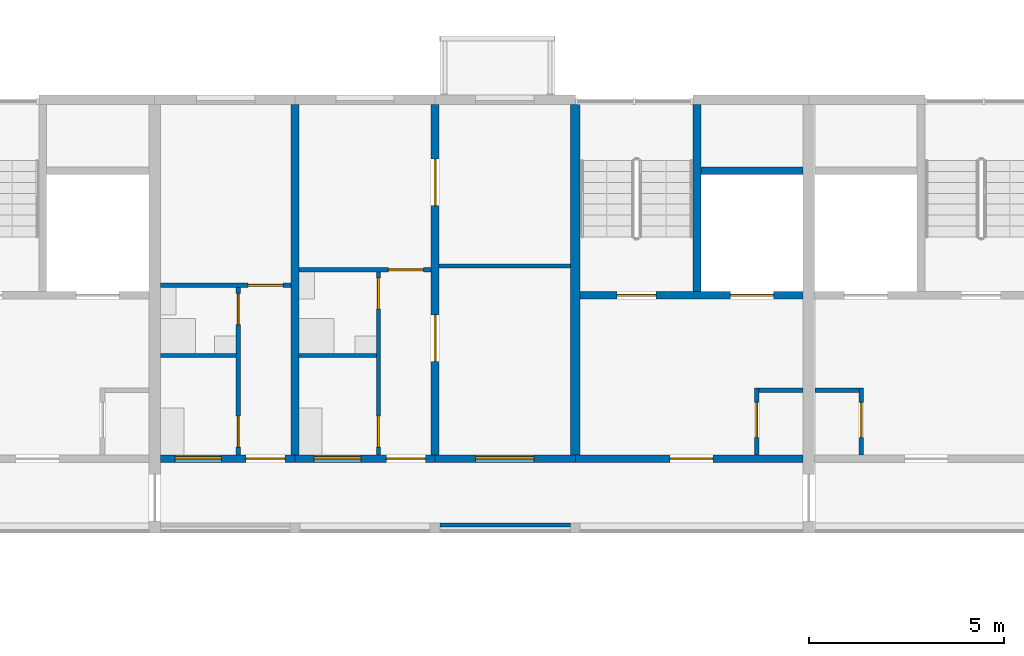
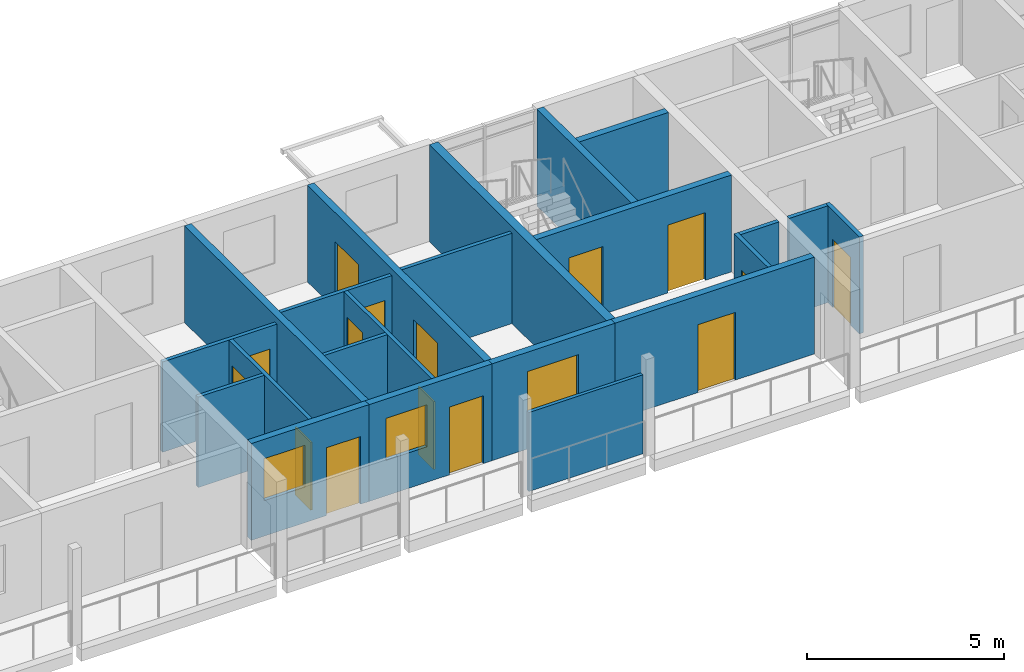
# One storey, part 49 of 99: 22 walls, 15 doors, 3 windows, 18 openings.
"""IFC4 building model written with IfcOpenShell, lengths in metres."""

import ifcopenshell
import ifcopenshell.guid

model = None  # the IFC model being written
_history = None  # IfcOwnerHistory: only IFC2X3 demands one
_inside = {}  # id of a spatial element -> (the spatial element, [elements in it])
_under = {}  # id of a project, library or spatial element -> (it, [spatial elements below it])
_declared = {}  # id of a project -> (the project, [libraries it declares])
_typed = {}  # id of a type object -> (the type object, [elements of that type])
_made_of = {}  # id of a material, layer set ... -> (it, [elements and type objects made of it])


def new_model(schema):
    """Start an empty IFC model of exactly this schema.

    Asked for "IFC4X3", IfcOpenShell would pick the latest addendum, in which some entities
    have other attributes; the version numbers below select the first issue.
    IFC2X3 requires an IfcOwnerHistory on every rooted entity: one is made here for all.
    """
    global model, _history
    if schema == "IFC4X3":
        model = ifcopenshell.file(schema_version=(4, 3, 0, 0))
    else:
        model = ifcopenshell.file(schema=schema)
    _inside.clear()
    _under.clear()
    _declared.clear()
    _typed.clear()
    _made_of.clear()
    _history = None
    if model.schema == "IFC2X3":
        org = make("IfcOrganization", Name="unknown")
        user = make(
            "IfcPersonAndOrganization",
            ThePerson=make("IfcPerson", FamilyName="unknown"),
            TheOrganization=org,
        )
        app = make(
            "IfcApplication",
            ApplicationDeveloper=org,
            Version="unknown",
            ApplicationFullName="unknown",
            ApplicationIdentifier="unknown",
        )
        _history = make(
            "IfcOwnerHistory",
            OwningUser=user,
            OwningApplication=app,
            ChangeAction="ADDED",
            CreationDate=0,
        )
    return model


def make(cls, **values):
    """One entity of the class cls with the attributes given. An attribute that is None is left unset."""
    return model.create_entity(
        cls, **{name: value for name, value in values.items() if value is not None}
    )


def rooted(cls, **values):
    """An entity with a GlobalId (a new one), such as an element, a storey or a relation."""
    return make(cls, GlobalId=ifcopenshell.guid.new(), OwnerHistory=_history, **values)


def si_unit(unit_type, name, prefix=None):
    """IfcSIUnit, for example si_unit("LENGTHUNIT", "METRE", prefix="MILLI")."""
    return make("IfcSIUnit", UnitType=unit_type, Prefix=prefix, Name=name)


def assignment(units):
    """IfcUnitAssignment: the units of a project."""
    return None if units is None else make("IfcUnitAssignment", Units=units)


def point(xyz):
    """IfcCartesianPoint."""
    return None if xyz is None else make("IfcCartesianPoint", Coordinates=xyz)


def direction(xyz):
    """IfcDirection."""
    return None if xyz is None else make("IfcDirection", DirectionRatios=xyz)


def frame(location, z_axis=None, x_axis=None):
    """IfcAxis2Placement3D, a coordinate frame: its origin and axes. An axis left out is left unset."""
    return make(
        "IfcAxis2Placement3D",
        Location=point(location),
        Axis=direction(z_axis),
        RefDirection=direction(x_axis),
    )


def frame_2d(location, x_axis=None):
    """IfcAxis2Placement2D, a coordinate frame in the plane: its origin and x axis."""
    return make(
        "IfcAxis2Placement2D", Location=point(location), RefDirection=direction(x_axis)
    )


def origin():
    """The frame at (0, 0, 0) with its axes left unset."""
    return frame((0.0, 0.0, 0.0))


def place(relative_to, where):
    """IfcLocalPlacement: puts the frame where relative to a parent placement (None: the world)."""
    return make(
        "IfcLocalPlacement", PlacementRelTo=relative_to, RelativePlacement=where
    )


def context(
    kind, dimensions, precision=None, world=None, true_north=None, identifier=None
):
    """IfcGeometricRepresentationContext, for example the 3D "Model" context."""
    return make(
        "IfcGeometricRepresentationContext",
        ContextIdentifier=identifier,
        ContextType=kind,
        CoordinateSpaceDimension=dimensions,
        Precision=precision,
        WorldCoordinateSystem=world,
        TrueNorth=true_north,
    )


def subcontext(parent, identifier, kind, view, scale=None):
    """IfcGeometricRepresentationSubContext, for example "Body" below "Model"."""
    return make(
        "IfcGeometricRepresentationSubContext",
        ContextIdentifier=identifier,
        ContextType=kind,
        ParentContext=parent,
        TargetScale=scale,
        TargetView=view,
    )


def project(units=None, contexts=None):
    """IfcProject with its units and contexts."""
    return rooted(
        "IfcProject",
        Name="project",
        RepresentationContexts=contexts,
        UnitsInContext=assignment(units),
    )


def spatial(cls, under=None, at=None, **own):
    """A site, building, storey or space (cls), placed at a placement, below another one or the project."""
    s = rooted(cls, ObjectPlacement=at, **own)
    if under is not None:
        _under.setdefault(under.id(), (under, []))[1].append(s)
    return s


def profile(cls, at=None, kind="AREA", **sizes):
    """A parametric profile (cls). Its sizes go by their IFC names, for example OverallWidth=200.0."""
    return make(cls, ProfileType=kind, Position=at, **sizes)


def rectangle(**sizes):
    """IfcRectangleProfileDef."""
    return profile("IfcRectangleProfileDef", **sizes)


def extrude(swept, where, along, depth):
    """IfcExtrudedAreaSolid: the profile swept, set in the frame where, extruded along a direction by depth."""
    return make(
        "IfcExtrudedAreaSolid",
        SweptArea=swept,
        Position=where,
        ExtrudedDirection=direction(along),
        Depth=depth,
    )


def shape(context_of_items, identifier, shape_type, items):
    """IfcShapeRepresentation: the items that make up one representation, for example the "Body"."""
    return make(
        "IfcShapeRepresentation",
        ContextOfItems=context_of_items,
        RepresentationIdentifier=identifier,
        RepresentationType=shape_type,
        Items=items,
    )


def material(Name=None, Category=None):
    """IfcMaterial."""
    return make("IfcMaterial", Name=Name, Category=Category)


def layer(
    of_material, thickness, ventilated=None, Name=None, Category=None, Priority=None
):
    """IfcMaterialLayer: one layer of a wall or slab, of a material (None: an air gap)."""
    return make(
        "IfcMaterialLayer",
        Material=of_material,
        LayerThickness=thickness,
        IsVentilated=ventilated,
        Name=Name,
        Category=Category,
        Priority=Priority,
    )


def layer_set(layers, Name=None):
    """IfcMaterialLayerSet."""
    return make("IfcMaterialLayerSet", MaterialLayers=layers, LayerSetName=Name)


def made_of(thing, what):
    """Note that an element or type object is made of a material, layer set ...; save() writes the relation."""
    if what is not None:
        _made_of.setdefault(what.id(), (what, []))[1].append(thing)
    return thing


def type_object(cls, material=None, **own):
    """A type object (cls), such as IfcWallType, which elements share."""
    return made_of(rooted(cls, **own), material)


def element(
    cls,
    number,
    at=None,
    inside=None,
    cuts=None,
    type_object=None,
    material=None,
    context=None,
    identifier="Body",
    shape_type=None,
    held_by="IfcProductDefinitionShape",
    body=None,
    shapes=None,
    **own,
):
    """One element of the class cls, such as IfcWall. Its Tag is "e" and its number.

    at: its placement. inside: the storey or other place that contains it. cuts: it is an
    opening in that element (IfcRelVoidsElement). A single representation is given by context,
    identifier, shape_type and body (its items); several are given by shapes. held_by: the class
    of the entity that holds the representations. save() writes the other relations.
    """
    e = rooted(cls, Tag="e%d" % number, ObjectPlacement=at, **own)
    if body is not None:
        shapes = [shape(context, identifier, shape_type, body)]
    if shapes is not None:
        e.Representation = make(held_by, Representations=shapes)
    if inside is not None:
        _inside.setdefault(inside.id(), (inside, []))[1].append(e)
    if cuts is not None:
        rooted(
            "IfcRelVoidsElement", RelatingBuildingElement=cuts, RelatedOpeningElement=e
        )
    if type_object is not None:
        _typed.setdefault(type_object.id(), (type_object, []))[1].append(e)
    return made_of(e, material)


def fill(opening, filler):
    """IfcRelFillsElement: the door or window that sits in an opening."""
    return rooted(
        "IfcRelFillsElement",
        RelatingOpeningElement=opening,
        RelatedBuildingElement=filler,
    )


def aggregate(whole, parts):
    """IfcRelAggregates: a whole, such as a stair, and the parts it consists of."""
    return rooted("IfcRelAggregates", RelatingObject=whole, RelatedObjects=parts)


def save(model, path):
    """Write the relations noted so far, then the file.

    IfcRelAggregates (storeys below a building ...), IfcRelContainedInSpatialStructure (elements
    in a storey), IfcRelDefinesByType, IfcRelAssociatesMaterial and IfcRelDeclares: one each for
    every whole, place, type object, material and project.
    """
    for whole, parts in _under.values():
        aggregate(whole, parts)
    for where, things in _inside.values():
        rooted(
            "IfcRelContainedInSpatialStructure",
            RelatedElements=things,
            RelatingStructure=where,
        )
    for kind, things in _typed.values():
        rooted("IfcRelDefinesByType", RelatedObjects=things, RelatingType=kind)
    for what, things in _made_of.values():
        rooted("IfcRelAssociatesMaterial", RelatedObjects=things, RelatingMaterial=what)
    for by, libraries in _declared.values():
        rooted("IfcRelDeclares", RelatingContext=by, RelatedDefinitions=libraries)
    model.write(path)


model = new_model("IFC4")

# Units and contexts
model_context = context("Model", 3, precision=1e-05, world=origin(), true_north=direction((0.0, 1.0)))
body_context = subcontext(model_context, "Body", "Model", "MODEL_VIEW")
ifc_project = project(units=[si_unit("LENGTHUNIT", "METRE"), si_unit("AREAUNIT", "SQUARE_METRE"), si_unit("VOLUMEUNIT", "CUBIC_METRE"), si_unit("PLANEANGLEUNIT", "RADIAN"), si_unit("MASSUNIT", "GRAM", prefix="KILO")], contexts=[model_context])

# Site, building, storey
site_placement = place(None, origin())
site = spatial("IfcSite", under=ifc_project, at=site_placement, CompositionType="ELEMENT")
building_placement = place(site_placement, origin())
building = spatial("IfcBuilding", under=site, at=building_placement, Name="Ridgestep Commons", CompositionType="ELEMENT")
storey_placement = place(building_placement, frame((0.0, 0.0, 15.0)))
storey = spatial("IfcBuildingStorey", under=building, at=storey_placement, Name="L05", CompositionType="ELEMENT", Elevation=15.0)

# Wall
ifc_material_1 = material(Name="Concrete C30/37", Category="concrete")
ifc_layer_1 = layer(ifc_material_1, 0.25)
ifc_layer_set_1 = layer_set([ifc_layer_1], Name="Core cross wall 250")
wall_type_1 = type_object("IfcWallType", Name="Core cross wall 250", PredefinedType="SHEAR", material=ifc_layer_set_1)
wall_1_placement = place(storey_placement, frame((174.39990234375, 68.0, 0.0), z_axis=(0.0, 0.0, 1.0), x_axis=(0.0, 1.0, 0.0)))
element("IfcWall", 1, at=wall_1_placement, inside=storey, type_object=wall_type_1, Name="Cross wall C-05-1744", PredefinedType="SHEAR", context=body_context, shape_type="SweptSolid", body=[
    extrude(rectangle(XDim=9.0, YDim=0.25, at=frame_2d((4.5, 0.0))), origin(), (0.0, 0.0, 1.0), 3.0),
])

# Wall, opening, door
ifc_material_2 = material(Name="Concrete C30/37", Category="concrete")
ifc_layer_2 = layer(ifc_material_2, 0.199951171875)
ifc_layer_set_2 = layer_set([ifc_layer_2], Name="Core south wall 200")
wall_type_2 = type_object("IfcWallType", Name="Core south wall 200", PredefinedType="SHEAR", material=ifc_layer_set_2)
wall_2_placement = place(storey_placement, frame((174.39990234375, 67.89990234375, 0.0), z_axis=(0.0, 0.0, 1.0), x_axis=(1.0, 0.0, 0.0)))
wall_2 = element("IfcWall", 2, at=wall_2_placement, inside=storey, type_object=wall_type_2, Name="Core south wall C2C L05", PredefinedType="SHEAR", context=body_context, shape_type="SweptSolid", body=[
    extrude(rectangle(XDim=5.85009765625, YDim=0.199951171875, at=frame_2d((2.925048828125, 0.0))), origin(), (0.0, 0.0, 1.0), 3.0),
])
opening_1_placement = place(wall_2_placement, frame((2.4375, 0.0, 0.0)))
opening_1 = element("IfcOpeningElement", 3, at=opening_1_placement, cuts=wall_2, Name="Opening C2C/05/1", PredefinedType="OPENING", context=body_context, shape_type="SweptSolid", body=[
    extrude(rectangle(XDim=1.10009765625, YDim=2.10009765625, at=frame_2d((0.550048828125, 1.050048828125))), frame((0.0, 0.10986328125, 0.0), z_axis=(0.0, -1.0, 0.0), x_axis=(1.0, 0.0, 0.0)), (0.0, 0.0, 1.0), 0.219970703125),
])
ifc_material_3 = material(Name="Steel fire door", Category="steel")
door_type_1 = type_object("IfcDoorType", Name="Lobby door 1100 x 2100 FD60", OperationType="NOTDEFINED", PredefinedType="DOOR", material=ifc_material_3)
door_1_placement = place(opening_1_placement, origin())
door_1 = element("IfcDoor", 4, at=door_1_placement, inside=storey, type_object=door_type_1, Name="Lobby door C2C/05/1", OperationType="SINGLE_SWING_LEFT", OverallHeight=2.10009765625, OverallWidth=1.10009765625, PredefinedType="DOOR", context=body_context, shape_type="SweptSolid", body=[
    extrude(rectangle(XDim=1.10009765625, YDim=2.10009765625, at=frame_2d((0.550048828125, 1.050048828125))), frame((0.0, 0.02490234375, 0.0), z_axis=(0.0, -1.0, 0.0), x_axis=(1.0, 0.0, 0.0)), (0.0, 0.0, 1.0), 0.050048828125),
])
fill(opening_1, door_1)

ifc_material_4 = material(Name="Concrete C30/37", Category="concrete")
ifc_layer_3 = layer(ifc_material_4, 0.1201171875)
ifc_layer_set_3 = layer_set([ifc_layer_3], Name="Core wall 120")
wall_type_3 = type_object("IfcWallType", Name="Core wall 120", PredefinedType="SHEAR", material=ifc_layer_set_3)
wall_3_placement = place(storey_placement, frame((179.06005859375, 68.0, 0.0), z_axis=(0.0, 0.0, 1.0), x_axis=(0.0, 1.0, 0.0)))
wall_3 = element("IfcWall", 5, at=wall_3_placement, inside=storey, type_object=wall_type_3, Name="Core riser w wall C2C L05", PredefinedType="SHEAR", context=body_context, shape_type="SweptSolid", body=[
    extrude(rectangle(XDim=1.719970703125, YDim=0.1201171875, at=frame_2d((0.85986328125, 0.0))), origin(), (0.0, 0.0, 1.0), 3.0),
])
opening_2_placement = place(wall_3_placement, frame((0.449951171875, 0.0, 0.0)))
opening_2 = element("IfcOpeningElement", 6, at=opening_2_placement, cuts=wall_3, Name="Opening C2C/05/4", PredefinedType="OPENING", context=body_context, shape_type="SweptSolid", body=[
    extrude(rectangle(XDim=0.89990234375, YDim=2.10009765625, at=frame_2d((0.449951171875, 1.050048828125))), frame((0.0, 0.070068359375, 0.0), z_axis=(0.0, -1.0, 0.0), x_axis=(1.0, 0.0, 0.0)), (0.0, 0.0, 1.0), 0.14013671875),
])
ifc_material_5 = material(Name="Steel fire door", Category="steel")
door_type_2 = type_object("IfcDoorType", Name="Riser door 900 x 2100 FD60", OperationType="NOTDEFINED", PredefinedType="DOOR", material=ifc_material_5)
door_2_placement = place(opening_2_placement, origin())
door_2 = element("IfcDoor", 7, at=door_2_placement, inside=storey, type_object=door_type_2, Name="Riser door C2C/05/4", OperationType="SINGLE_SWING_LEFT", OverallHeight=2.10009765625, OverallWidth=0.89990234375, PredefinedType="DOOR", context=body_context, shape_type="SweptSolid", body=[
    extrude(rectangle(XDim=0.89990234375, YDim=2.10009765625, at=frame_2d((0.449951171875, 1.050048828125))), frame((0.0, 0.02490234375, 0.0), z_axis=(0.0, -1.0, 0.0), x_axis=(1.0, 0.0, 0.0)), (0.0, 0.0, 1.0), 0.050048828125),
])
fill(opening_2, door_2)

# Wall
wall_4_placement = place(storey_placement, frame((179.1201171875, 69.659912109375, 0.0), z_axis=(0.0, 0.0, 1.0), x_axis=(1.0, 0.0, 0.0)))
element("IfcWall", 8, at=wall_4_placement, inside=storey, type_object=wall_type_3, Name="Core riser n wall C2C L05", PredefinedType="SHEAR", context=body_context, shape_type="SweptSolid", body=[
    extrude(rectangle(XDim=1.1298828125, YDim=0.1201171875, at=frame_2d((0.56494140625, 0.0))), origin(), (0.0, 0.0, 1.0), 3.0),
])

# Wall, opening, door
wall_5_placement = place(storey_placement, frame((181.739990234375, 68.0, 0.0), z_axis=(0.0, 0.0, 1.0), x_axis=(0.0, 1.0, 0.0)))
wall_5 = element("IfcWall", 9, at=wall_5_placement, inside=storey, type_object=wall_type_3, Name="Core riser w wall C3C L05", PredefinedType="SHEAR", context=body_context, shape_type="SweptSolid", body=[
    extrude(rectangle(XDim=1.719970703125, YDim=0.1201171875, at=frame_2d((0.85986328125, 0.0))), origin(), (0.0, 0.0, 1.0), 3.0),
])
opening_3_placement = place(wall_5_placement, frame((0.449951171875, 0.0, 0.0)))
opening_3 = element("IfcOpeningElement", 10, at=opening_3_placement, cuts=wall_5, Name="Opening C3C/05/4", PredefinedType="OPENING", context=body_context, shape_type="SweptSolid", body=[
    extrude(rectangle(XDim=0.89990234375, YDim=2.10009765625, at=frame_2d((0.449951171875, 1.050048828125))), frame((0.0, 0.070068359375, 0.0), z_axis=(0.0, -1.0, 0.0), x_axis=(1.0, 0.0, 0.0)), (0.0, 0.0, 1.0), 0.14013671875),
])
door_3_placement = place(opening_3_placement, origin())
door_3 = element("IfcDoor", 11, at=door_3_placement, inside=storey, type_object=door_type_2, Name="Riser door C3C/05/4", OperationType="SINGLE_SWING_RIGHT", OverallHeight=2.10009765625, OverallWidth=0.89990234375, PredefinedType="DOOR", context=body_context, shape_type="SweptSolid", body=[
    extrude(rectangle(XDim=0.89990234375, YDim=2.10009765625, at=frame_2d((0.449951171875, 1.050048828125))), frame((0.0, 0.02490234375, 0.0), z_axis=(0.0, -1.0, 0.0), x_axis=(1.0, 0.0, 0.0)), (0.0, 0.0, 1.0), 0.050048828125),
])
fill(opening_3, door_3)

# Wall
wall_6_placement = place(storey_placement, frame((180.550048828125, 69.659912109375, 0.0), z_axis=(0.0, 0.0, 1.0), x_axis=(1.0, 0.0, 0.0)))
element("IfcWall", 12, at=wall_6_placement, inside=storey, type_object=wall_type_3, Name="Core riser n wall C3C L05", PredefinedType="SHEAR", context=body_context, shape_type="SweptSolid", body=[
    extrude(rectangle(XDim=1.1298828125, YDim=0.1201171875, at=frame_2d((0.56494140625, 0.0))), origin(), (0.0, 0.0, 1.0), 3.0),
])

# Wall, openings, doors
ifc_material_6 = material(Name="Concrete C30/37", Category="concrete")
ifc_layer_4 = layer(ifc_material_6, 0.199951171875)
ifc_layer_set_4 = layer_set([ifc_layer_4], Name="Core wall 200")
wall_type_4 = type_object("IfcWallType", Name="Core wall 200", PredefinedType="SHEAR", material=ifc_layer_set_4)
wall_7_placement = place(storey_placement, frame((174.52490234375, 72.10009765625, 0.0), z_axis=(0.0, 0.0, 1.0), x_axis=(1.0, 0.0, 0.0)))
wall_7 = element("IfcWall", 13, at=wall_7_placement, inside=storey, type_object=wall_type_4, Name="Core lobby wall C2C L05", PredefinedType="SHEAR", context=body_context, shape_type="SweptSolid", body=[
    extrude(rectangle(XDim=5.72509765625, YDim=0.199951171875, at=frame_2d((2.862548828125, 0.0))), origin(), (0.0, 0.0, 1.0), 3.0),
])
opening_4_placement = place(wall_7_placement, frame((0.949951171875, 0.0, 0.0)))
opening_4 = element("IfcOpeningElement", 14, at=opening_4_placement, cuts=wall_7, Name="Opening C2C/05/2", PredefinedType="OPENING", context=body_context, shape_type="SweptSolid", body=[
    extrude(rectangle(XDim=1.0, YDim=2.10009765625, at=frame_2d((0.5, 1.050048828125))), frame((0.0, 0.10986328125, 0.0), z_axis=(0.0, -1.0, 0.0), x_axis=(1.0, 0.0, 0.0)), (0.0, 0.0, 1.0), 0.219970703125),
])
opening_5_placement = place(wall_7_placement, frame((3.862548828125, 0.0, 0.0)))
opening_5 = element("IfcOpeningElement", 15, at=opening_5_placement, cuts=wall_7, Name="Opening C2C/05/3", PredefinedType="OPENING", context=body_context, shape_type="SweptSolid", body=[
    extrude(rectangle(XDim=1.10009765625, YDim=2.10009765625, at=frame_2d((0.550048828125, 1.050048828125))), frame((0.0, 0.10986328125, 0.0), z_axis=(0.0, -1.0, 0.0), x_axis=(1.0, 0.0, 0.0)), (0.0, 0.0, 1.0), 0.219970703125),
])
ifc_material_7 = material(Name="Stainless steel", Category="steel")
door_type_3 = type_object("IfcDoorType", Name="Lift landing door 1100 x 2100 FD60", OperationType="DOUBLE_DOOR_SLIDING", PredefinedType="DOOR", material=ifc_material_7)
door_4_placement = place(opening_5_placement, origin())
door_4 = element("IfcDoor", 16, at=door_4_placement, inside=storey, type_object=door_type_3, Name="Landing door LD C2C L05", OperationType="DOUBLE_DOOR_SLIDING", OverallHeight=2.10009765625, OverallWidth=1.10009765625, PredefinedType="DOOR", context=body_context, shape_type="SweptSolid", body=[
    extrude(rectangle(XDim=1.10009765625, YDim=2.10009765625, at=frame_2d((0.550048828125, 1.050048828125))), frame((0.0, 0.02490234375, 0.0), z_axis=(0.0, -1.0, 0.0), x_axis=(1.0, 0.0, 0.0)), (0.0, 0.0, 1.0), 0.050048828125),
])
fill(opening_5, door_4)
ifc_material_8 = material(Name="Steel fire door", Category="steel")
door_type_4 = type_object("IfcDoorType", Name="Stair door 1000 x 2100 FD60", OperationType="NOTDEFINED", PredefinedType="DOOR", material=ifc_material_8)
door_5_placement = place(opening_4_placement, origin())
door_5 = element("IfcDoor", 17, at=door_5_placement, inside=storey, type_object=door_type_4, Name="Stair door C2C/05/2", OperationType="SINGLE_SWING_RIGHT", OverallHeight=2.10009765625, OverallWidth=1.0, PredefinedType="DOOR", context=body_context, shape_type="SweptSolid", body=[
    extrude(rectangle(XDim=1.0, YDim=2.10009765625, at=frame_2d((0.5, 1.050048828125))), frame((0.0, 0.02490234375, 0.0), z_axis=(0.0, -1.0, 0.0), x_axis=(1.0, 0.0, 0.0)), (0.0, 0.0, 1.0), 0.050048828125),
])
fill(opening_4, door_5)

# Walls
wall_8_placement = place(storey_placement, frame((177.52490234375, 72.199951171875, 0.0), z_axis=(0.0, 0.0, 1.0), x_axis=(0.0, 1.0, 0.0)))
element("IfcWall", 18, at=wall_8_placement, inside=storey, type_object=wall_type_4, Name="Core stair wall C2C L05", PredefinedType="SHEAR", context=body_context, shape_type="SweptSolid", body=[
    extrude(rectangle(XDim=4.800048828125, YDim=0.199951171875, at=frame_2d((2.39990234375, 0.0))), origin(), (0.0, 0.0, 1.0), 3.0),
])
wall_9_placement = place(storey_placement, frame((177.625, 75.300048828125, 0.0), z_axis=(0.0, 0.0, 1.0), x_axis=(1.0, 0.0, 0.0)))
element("IfcWall", 19, at=wall_9_placement, inside=storey, type_object=wall_type_4, Name="Core duct wall C2C L05", PredefinedType="SHEAR", context=body_context, shape_type="SweptSolid", body=[
    extrude(rectangle(XDim=2.625, YDim=0.199951171875, at=frame_2d((1.3125, 0.0))), origin(), (0.0, 0.0, 1.0), 3.0),
])
ifc_material_9 = material(Name="Precast concrete C40/50", Category="concrete")
ifc_layer_5 = layer(ifc_material_9, 0.199951171875)
ifc_layer_set_5 = layer_set([ifc_layer_5], Name="Cross wall 200")
wall_type_5 = type_object("IfcWallType", Name="Cross wall 200", PredefinedType="SHEAR", material=ifc_layer_set_5)
wall_10_placement = place(storey_placement, frame((167.199951171875, 68.0, 0.0), z_axis=(0.0, 0.0, 1.0), x_axis=(0.0, 1.0, 0.0)))
element("IfcWall", 20, at=wall_10_placement, inside=storey, type_object=wall_type_5, Name="Cross wall C-05-1672", PredefinedType="SHEAR", context=body_context, shape_type="SweptSolid", body=[
    extrude(rectangle(XDim=9.0, YDim=0.199951171875, at=frame_2d((4.5, 0.0))), origin(), (0.0, 0.0, 1.0), 3.0),
])

# Wall, openings, doors
wall_11_placement = place(storey_placement, frame((170.800048828125, 68.0, 0.0), z_axis=(0.0, 0.0, 1.0), x_axis=(0.0, 1.0, 0.0)))
wall_11 = element("IfcWall", 21, at=wall_11_placement, inside=storey, type_object=wall_type_5, Name="Cross wall C-05-1708", PredefinedType="SHEAR", context=body_context, shape_type="SweptSolid", body=[
    extrude(rectangle(XDim=9.0, YDim=0.199951171875, at=frame_2d((4.5, 0.0))), origin(), (0.0, 0.0, 1.0), 3.0),
])
opening_6_placement = place(wall_11_placement, frame((2.39990234375, 0.0, 0.0)))
opening_6 = element("IfcOpeningElement", 22, at=opening_6_placement, cuts=wall_11, Name="Opening C2-05b/5", PredefinedType="OPENING", context=body_context, shape_type="SweptSolid", body=[
    extrude(rectangle(XDim=1.199951171875, YDim=2.10009765625, at=frame_2d((0.60009765625, 1.050048828125))), frame((0.0, 0.10986328125, 0.0), z_axis=(0.0, -1.0, 0.0), x_axis=(1.0, 0.0, 0.0)), (0.0, 0.0, 1.0), 0.219970703125),
])
opening_7_placement = place(wall_11_placement, frame((6.39990234375, 0.0, 0.0)))
opening_7 = element("IfcOpeningElement", 23, at=opening_7_placement, cuts=wall_11, Name="Opening C2-05b/6", PredefinedType="OPENING", context=body_context, shape_type="SweptSolid", body=[
    extrude(rectangle(XDim=1.199951171875, YDim=2.10009765625, at=frame_2d((0.60009765625, 1.050048828125))), frame((0.0, 0.10986328125, 0.0), z_axis=(0.0, -1.0, 0.0), x_axis=(1.0, 0.0, 0.0)), (0.0, 0.0, 1.0), 0.219970703125),
])
ifc_material_10 = material(Name="Timber door leaf", Category="wood")
door_type_5 = type_object("IfcDoorType", Name="Double door 1200 x 2100", OperationType="DOUBLE_DOOR_SINGLE_SWING", PredefinedType="DOOR", material=ifc_material_10)
door_6_placement = place(opening_6_placement, origin())
door_6 = element("IfcDoor", 24, at=door_6_placement, inside=storey, type_object=door_type_5, Name="Double door C2-05b/5", OperationType="DOUBLE_DOOR_SINGLE_SWING", OverallHeight=2.10009765625, OverallWidth=1.199951171875, PredefinedType="DOOR", context=body_context, shape_type="SweptSolid", body=[
    extrude(rectangle(XDim=1.199951171875, YDim=2.10009765625, at=frame_2d((0.60009765625, 1.050048828125))), frame((0.0, 0.02490234375, 0.0), z_axis=(0.0, -1.0, 0.0), x_axis=(1.0, 0.0, 0.0)), (0.0, 0.0, 1.0), 0.050048828125),
])
fill(opening_6, door_6)
door_7_placement = place(opening_7_placement, origin())
door_7 = element("IfcDoor", 25, at=door_7_placement, inside=storey, type_object=door_type_5, Name="Double door C2-05b/6", OperationType="DOUBLE_DOOR_SINGLE_SWING", OverallHeight=2.10009765625, OverallWidth=1.199951171875, PredefinedType="DOOR", context=body_context, shape_type="SweptSolid", body=[
    extrude(rectangle(XDim=1.199951171875, YDim=2.10009765625, at=frame_2d((0.60009765625, 1.050048828125))), frame((0.0, 0.02490234375, 0.0), z_axis=(0.0, -1.0, 0.0), x_axis=(1.0, 0.0, 0.0)), (0.0, 0.0, 1.0), 0.050048828125),
])
fill(opening_7, door_7)

# Wall
ifc_material_11 = material(Name="Common brick 110 mm", Category="masonry")
ifc_layer_6 = layer(ifc_material_11, 0.110107421875)
ifc_layer_set_6 = layer_set([ifc_layer_6], Name="Partition 110")
wall_type_6 = type_object("IfcWallType", Name="Partition 110", PredefinedType="PARTITIONING", material=ifc_layer_set_6)
wall_12_placement = place(storey_placement, frame((163.75, 70.554931640625, 0.0), z_axis=(0.0, 0.0, 1.0), x_axis=(1.0, 0.0, 0.0)))
element("IfcWall", 26, at=wall_12_placement, inside=storey, type_object=wall_type_6, Name="Partition C2-05a", PredefinedType="PARTITIONING", context=body_context, shape_type="SweptSolid", body=[
    extrude(rectangle(XDim=1.93994140625, YDim=0.110107421875, at=frame_2d((0.969970703125, 0.0))), origin(), (0.0, 0.0, 1.0), 2.800048828125),
])

# Wall, openings, doors
wall_13_placement = place(storey_placement, frame((165.7451171875, 68.0, 0.0), z_axis=(0.0, 0.0, 1.0), x_axis=(0.0, 1.0, 0.0)))
wall_13 = element("IfcWall", 27, at=wall_13_placement, inside=storey, type_object=wall_type_6, Name="Partition C2-05a", PredefinedType="PARTITIONING", context=body_context, shape_type="SweptSolid", body=[
    extrude(rectangle(XDim=4.300048828125, YDim=0.110107421875, at=frame_2d((2.14990234375, 0.0))), origin(), (0.0, 0.0, 1.0), 2.800048828125),
])
opening_8_placement = place(wall_13_placement, frame((0.199951171875, 0.0, 0.0)))
opening_8 = element("IfcOpeningElement", 28, at=opening_8_placement, cuts=wall_13, Name="Opening C2-05a/2", PredefinedType="OPENING", context=body_context, shape_type="SweptSolid", body=[
    extrude(rectangle(XDim=0.800048828125, YDim=2.10009765625, at=frame_2d((0.39990234375, 1.050048828125))), frame((0.0, 0.06494140625, 0.0), z_axis=(0.0, -1.0, 0.0), x_axis=(1.0, 0.0, 0.0)), (0.0, 0.0, 1.0), 0.130126953125),
])
opening_9_placement = place(wall_13_placement, frame((3.35009765625, 0.0, 0.0)))
opening_9 = element("IfcOpeningElement", 29, at=opening_9_placement, cuts=wall_13, Name="Opening C2-05a/3", PredefinedType="OPENING", context=body_context, shape_type="SweptSolid", body=[
    extrude(rectangle(XDim=0.800048828125, YDim=2.10009765625, at=frame_2d((0.39990234375, 1.050048828125))), frame((0.0, 0.06494140625, 0.0), z_axis=(0.0, -1.0, 0.0), x_axis=(1.0, 0.0, 0.0)), (0.0, 0.0, 1.0), 0.130126953125),
])
ifc_material_12 = material(Name="Timber door leaf", Category="wood")
door_type_6 = type_object("IfcDoorType", Name="Internal door 800 x 2100", OperationType="NOTDEFINED", PredefinedType="DOOR", material=ifc_material_12)
door_8_placement = place(opening_8_placement, origin())
door_8 = element("IfcDoor", 30, at=door_8_placement, inside=storey, type_object=door_type_6, Name="Internal door C2-05a/2", OperationType="SINGLE_SWING_LEFT", OverallHeight=2.10009765625, OverallWidth=0.800048828125, PredefinedType="DOOR", context=body_context, shape_type="SweptSolid", body=[
    extrude(rectangle(XDim=0.800048828125, YDim=2.10009765625, at=frame_2d((0.39990234375, 1.050048828125))), frame((0.0, 0.02490234375, 0.0), z_axis=(0.0, -1.0, 0.0), x_axis=(1.0, 0.0, 0.0)), (0.0, 0.0, 1.0), 0.050048828125),
])
fill(opening_8, door_8)
door_9_placement = place(opening_9_placement, origin())
door_9 = element("IfcDoor", 31, at=door_9_placement, inside=storey, type_object=door_type_6, Name="Internal door C2-05a/3", OperationType="SINGLE_SWING_RIGHT", OverallHeight=2.10009765625, OverallWidth=0.800048828125, PredefinedType="DOOR", context=body_context, shape_type="SweptSolid", body=[
    extrude(rectangle(XDim=0.800048828125, YDim=2.10009765625, at=frame_2d((0.39990234375, 1.050048828125))), frame((0.0, 0.02490234375, 0.0), z_axis=(0.0, -1.0, 0.0), x_axis=(1.0, 0.0, 0.0)), (0.0, 0.0, 1.0), 0.050048828125),
])
fill(opening_9, door_9)

# Wall, opening, door
wall_14_placement = place(storey_placement, frame((163.75, 72.35498046875, 0.0), z_axis=(0.0, 0.0, 1.0), x_axis=(1.0, 0.0, 0.0)))
wall_14 = element("IfcWall", 32, at=wall_14_placement, inside=storey, type_object=wall_type_6, Name="Partition C2-05a", PredefinedType="PARTITIONING", context=body_context, shape_type="SweptSolid", body=[
    extrude(rectangle(XDim=3.35009765625, YDim=0.110107421875, at=frame_2d((1.675048828125, 0.0))), origin(), (0.0, 0.0, 1.0), 2.800048828125),
])
opening_10_placement = place(wall_14_placement, frame((2.25, 0.0, 0.0)))
opening_10 = element("IfcOpeningElement", 33, at=opening_10_placement, cuts=wall_14, Name="Opening C2-05a/4", PredefinedType="OPENING", context=body_context, shape_type="SweptSolid", body=[
    extrude(rectangle(XDim=0.89990234375, YDim=2.10009765625, at=frame_2d((0.449951171875, 1.050048828125))), frame((0.0, 0.06494140625, 0.0), z_axis=(0.0, -1.0, 0.0), x_axis=(1.0, 0.0, 0.0)), (0.0, 0.0, 1.0), 0.130126953125),
])
ifc_material_13 = material(Name="Timber door leaf", Category="wood")
door_type_7 = type_object("IfcDoorType", Name="Internal door 900 x 2100", OperationType="NOTDEFINED", PredefinedType="DOOR", material=ifc_material_13)
door_10_placement = place(opening_10_placement, origin())
door_10 = element("IfcDoor", 34, at=door_10_placement, inside=storey, type_object=door_type_7, Name="Internal door C2-05a/4", OperationType="SINGLE_SWING_LEFT", OverallHeight=2.10009765625, OverallWidth=0.89990234375, PredefinedType="DOOR", context=body_context, shape_type="SweptSolid", body=[
    extrude(rectangle(XDim=0.89990234375, YDim=2.10009765625, at=frame_2d((0.449951171875, 1.050048828125))), frame((0.0, 0.02490234375, 0.0), z_axis=(0.0, -1.0, 0.0), x_axis=(1.0, 0.0, 0.0)), (0.0, 0.0, 1.0), 0.050048828125),
])
fill(opening_10, door_10)

# Wall
wall_15_placement = place(storey_placement, frame((167.300048828125, 70.554931640625, 0.0), z_axis=(0.0, 0.0, 1.0), x_axis=(1.0, 0.0, 0.0)))
element("IfcWall", 35, at=wall_15_placement, inside=storey, type_object=wall_type_6, Name="Partition C2-05b", PredefinedType="PARTITIONING", context=body_context, shape_type="SweptSolid", body=[
    extrude(rectangle(XDim=1.989990234375, YDim=0.110107421875, at=frame_2d((0.9951171875, 0.0))), origin(), (0.0, 0.0, 1.0), 2.800048828125),
])

# Wall, openings, doors
wall_16_placement = place(storey_placement, frame((169.344970703125, 68.0, 0.0), z_axis=(0.0, 0.0, 1.0), x_axis=(0.0, 1.0, 0.0)))
wall_16 = element("IfcWall", 36, at=wall_16_placement, inside=storey, type_object=wall_type_6, Name="Partition C2-05b", PredefinedType="PARTITIONING", context=body_context, shape_type="SweptSolid", body=[
    extrude(rectangle(XDim=4.699951171875, YDim=0.110107421875, at=frame_2d((2.35009765625, 0.0))), origin(), (0.0, 0.0, 1.0), 2.800048828125),
])
opening_11_placement = place(wall_16_placement, frame((0.199951171875, 0.0, 0.0)))
opening_11 = element("IfcOpeningElement", 37, at=opening_11_placement, cuts=wall_16, Name="Opening C2-05b/2", PredefinedType="OPENING", context=body_context, shape_type="SweptSolid", body=[
    extrude(rectangle(XDim=0.800048828125, YDim=2.10009765625, at=frame_2d((0.39990234375, 1.050048828125))), frame((0.0, 0.06494140625, 0.0), z_axis=(0.0, -1.0, 0.0), x_axis=(1.0, 0.0, 0.0)), (0.0, 0.0, 1.0), 0.130126953125),
])
opening_12_placement = place(wall_16_placement, frame((3.75, 0.0, 0.0)))
opening_12 = element("IfcOpeningElement", 38, at=opening_12_placement, cuts=wall_16, Name="Opening C2-05b/3", PredefinedType="OPENING", context=body_context, shape_type="SweptSolid", body=[
    extrude(rectangle(XDim=0.800048828125, YDim=2.10009765625, at=frame_2d((0.39990234375, 1.050048828125))), frame((0.0, 0.06494140625, 0.0), z_axis=(0.0, -1.0, 0.0), x_axis=(1.0, 0.0, 0.0)), (0.0, 0.0, 1.0), 0.130126953125),
])
door_11_placement = place(opening_11_placement, origin())
door_11 = element("IfcDoor", 39, at=door_11_placement, inside=storey, type_object=door_type_6, Name="Internal door C2-05b/2", OperationType="SINGLE_SWING_LEFT", OverallHeight=2.10009765625, OverallWidth=0.800048828125, PredefinedType="DOOR", context=body_context, shape_type="SweptSolid", body=[
    extrude(rectangle(XDim=0.800048828125, YDim=2.10009765625, at=frame_2d((0.39990234375, 1.050048828125))), frame((0.0, 0.02490234375, 0.0), z_axis=(0.0, -1.0, 0.0), x_axis=(1.0, 0.0, 0.0)), (0.0, 0.0, 1.0), 0.050048828125),
])
fill(opening_11, door_11)
door_12_placement = place(opening_12_placement, origin())
door_12 = element("IfcDoor", 40, at=door_12_placement, inside=storey, type_object=door_type_6, Name="Internal door C2-05b/3", OperationType="SINGLE_SWING_RIGHT", OverallHeight=2.10009765625, OverallWidth=0.800048828125, PredefinedType="DOOR", context=body_context, shape_type="SweptSolid", body=[
    extrude(rectangle(XDim=0.800048828125, YDim=2.10009765625, at=frame_2d((0.39990234375, 1.050048828125))), frame((0.0, 0.02490234375, 0.0), z_axis=(0.0, -1.0, 0.0), x_axis=(1.0, 0.0, 0.0)), (0.0, 0.0, 1.0), 0.050048828125),
])
fill(opening_12, door_12)

# Wall, opening, door
wall_17_placement = place(storey_placement, frame((167.300048828125, 72.7548828125, 0.0), z_axis=(0.0, 0.0, 1.0), x_axis=(1.0, 0.0, 0.0)))
wall_17 = element("IfcWall", 41, at=wall_17_placement, inside=storey, type_object=wall_type_6, Name="Partition C2-05b", PredefinedType="PARTITIONING", context=body_context, shape_type="SweptSolid", body=[
    extrude(rectangle(XDim=3.39990234375, YDim=0.110107421875, at=frame_2d((1.699951171875, 0.0))), origin(), (0.0, 0.0, 1.0), 2.800048828125),
])
opening_13_placement = place(wall_17_placement, frame((2.300048828125, 0.0, 0.0)))
opening_13 = element("IfcOpeningElement", 42, at=opening_13_placement, cuts=wall_17, Name="Opening C2-05b/4", PredefinedType="OPENING", context=body_context, shape_type="SweptSolid", body=[
    extrude(rectangle(XDim=0.89990234375, YDim=2.10009765625, at=frame_2d((0.449951171875, 1.050048828125))), frame((0.0, 0.06494140625, 0.0), z_axis=(0.0, -1.0, 0.0), x_axis=(1.0, 0.0, 0.0)), (0.0, 0.0, 1.0), 0.130126953125),
])
door_13_placement = place(opening_13_placement, origin())
door_13 = element("IfcDoor", 43, at=door_13_placement, inside=storey, type_object=door_type_7, Name="Internal door C2-05b/4", OperationType="SINGLE_SWING_LEFT", OverallHeight=2.10009765625, OverallWidth=0.89990234375, PredefinedType="DOOR", context=body_context, shape_type="SweptSolid", body=[
    extrude(rectangle(XDim=0.89990234375, YDim=2.10009765625, at=frame_2d((0.449951171875, 1.050048828125))), frame((0.0, 0.02490234375, 0.0), z_axis=(0.0, -1.0, 0.0), x_axis=(1.0, 0.0, 0.0)), (0.0, 0.0, 1.0), 0.050048828125),
])
fill(opening_13, door_13)

# Walls
wall_18_placement = place(storey_placement, frame((170.89990234375, 72.85498046875, 0.0), z_axis=(0.0, 0.0, 1.0), x_axis=(1.0, 0.0, 0.0)))
element("IfcWall", 44, at=wall_18_placement, inside=storey, type_object=wall_type_6, Name="Partition C2-05b", PredefinedType="PARTITIONING", context=body_context, shape_type="SweptSolid", body=[
    extrude(rectangle(XDim=3.375, YDim=0.110107421875, at=frame_2d((1.6875, 0.0))), origin(), (0.0, 0.0, 1.0), 2.800048828125),
])
ifc_material_14 = material(Name="Precast concrete C30/37", Category="concrete")
ifc_layer_7 = layer(ifc_material_14, 0.10009765625)
ifc_layer_set_7 = layer_set([ifc_layer_7], Name="Perforated gallery screen 3350 x 2450 x 100")
wall_type_7 = type_object("IfcWallType", Name="Perforated gallery screen 3350 x 2450 x 100", PredefinedType="SOLIDWALL", material=ifc_layer_set_7)
wall_19_placement = place(storey_placement, frame((170.925048828125, 66.199951171875, 0.0), z_axis=(0.0, 0.0, 1.0), x_axis=(1.0, 0.0, 0.0)))
element("IfcWall", 45, at=wall_19_placement, inside=storey, type_object=wall_type_7, Name="Gallery screen C2T3 05", PredefinedType="SOLIDWALL", context=body_context, shape_type="SweptSolid", body=[
    extrude(rectangle(XDim=3.349853515625, YDim=0.10009765625, at=frame_2d((1.6748046875, 0.0))), origin(), (0.0, 0.0, 1.0), 2.449951171875),
])

# Wall, openings, door, window
ifc_material_15 = material(Name="Precast concrete C40/50", Category="concrete")
ifc_layer_8 = layer(ifc_material_15, 0.199951171875)
ifc_layer_set_8 = layer_set([ifc_layer_8], Name="South facade panel 200")
wall_type_8 = type_object("IfcWallType", Name="South facade panel 200", PredefinedType="SOLIDWALL", material=ifc_layer_set_8)
wall_20_placement = place(storey_placement, frame((163.75, 67.89990234375, 0.0), z_axis=(0.0, 0.0, 1.0), x_axis=(1.0, 0.0, 0.0)))
wall_20 = element("IfcWall", 46, at=wall_20_placement, inside=storey, type_object=wall_type_8, Name="South panel C2T1 L05", PredefinedType="SOLIDWALL", context=body_context, shape_type="SweptSolid", body=[
    extrude(rectangle(XDim=3.449951171875, YDim=0.199951171875, at=frame_2d((1.72509765625, 0.0))), origin(), (0.0, 0.0, 1.0), 3.0),
])
opening_14_placement = place(wall_20_placement, frame((0.3701171875, 0.0, 1.10009765625)))
opening_14 = element("IfcOpeningElement", 47, at=opening_14_placement, cuts=wall_20, Name="Opening W08", PredefinedType="OPENING", context=body_context, shape_type="SweptSolid", body=[
    extrude(rectangle(XDim=1.199951171875, YDim=1.300048828125, at=frame_2d((0.60009765625, 0.64990234375))), frame((0.0, 0.10986328125, 0.0), z_axis=(0.0, -1.0, 0.0), x_axis=(1.0, 0.0, 0.0)), (0.0, 0.0, 1.0), 0.219970703125),
])
opening_15_placement = place(wall_20_placement, frame((2.199951171875, 0.0, 0.0)))
opening_15 = element("IfcOpeningElement", 48, at=opening_15_placement, cuts=wall_20, Name="Opening C2-05a/1", PredefinedType="OPENING", context=body_context, shape_type="SweptSolid", body=[
    extrude(rectangle(XDim=1.0, YDim=2.10009765625, at=frame_2d((0.5, 1.050048828125))), frame((0.0, 0.10986328125, 0.0), z_axis=(0.0, -1.0, 0.0), x_axis=(1.0, 0.0, 0.0)), (0.0, 0.0, 1.0), 0.219970703125),
])
ifc_material_16 = material(Name="Timber door leaf", Category="wood")
door_type_8 = type_object("IfcDoorType", Name="Flat entrance door 1000 x 2100 FD30S", OperationType="NOTDEFINED", PredefinedType="DOOR", material=ifc_material_16)
door_14_placement = place(opening_15_placement, origin())
door_14 = element("IfcDoor", 49, at=door_14_placement, inside=storey, type_object=door_type_8, Name="Flat entrance door C2-05a/1", OperationType="SINGLE_SWING_RIGHT", OverallHeight=2.10009765625, OverallWidth=1.0, PredefinedType="DOOR", context=body_context, shape_type="SweptSolid", body=[
    extrude(rectangle(XDim=1.0, YDim=2.10009765625, at=frame_2d((0.5, 1.050048828125))), frame((0.0, 0.02490234375, 0.0), z_axis=(0.0, -1.0, 0.0), x_axis=(1.0, 0.0, 0.0)), (0.0, 0.0, 1.0), 0.050048828125),
])
fill(opening_15, door_14)
ifc_material_17 = material(Name="Aluminium 6063-T6 and glass", Category="aluminium")
window_type_1 = type_object("IfcWindowType", Name="Flat window 1200 x 1300", PartitioningType="SINGLE_PANEL", PredefinedType="WINDOW", material=ifc_material_17)
window_1_placement = place(opening_14_placement, origin())
window_1 = element("IfcWindow", 50, at=window_1_placement, inside=storey, type_object=window_type_1, Name="Window C2-05a 1", OverallHeight=1.300048828125, OverallWidth=1.199951171875, PartitioningType="SINGLE_PANEL", PredefinedType="WINDOW", context=body_context, shape_type="SweptSolid", body=[
    extrude(rectangle(XDim=1.199951171875, YDim=1.300048828125, at=frame_2d((0.60009765625, 0.64990234375))), frame((0.0, 0.06005859375, 0.0), z_axis=(0.0, -1.0, 0.0), x_axis=(1.0, 0.0, 0.0)), (0.0, 0.0, 1.0), 0.06005859375),
])
fill(opening_14, window_1)

wall_21_placement = place(storey_placement, frame((167.199951171875, 67.89990234375, 0.0), z_axis=(0.0, 0.0, 1.0), x_axis=(1.0, 0.0, 0.0)))
wall_21 = element("IfcWall", 51, at=wall_21_placement, inside=storey, type_object=wall_type_8, Name="South panel C2T2 L05", PredefinedType="SOLIDWALL", context=body_context, shape_type="SweptSolid", body=[
    extrude(rectangle(XDim=3.60009765625, YDim=0.199951171875, at=frame_2d((1.800048828125, 0.0))), origin(), (0.0, 0.0, 1.0), 3.0),
])
opening_16_placement = place(wall_21_placement, frame((0.4951171875, 0.0, 1.10009765625)))
opening_16 = element("IfcOpeningElement", 52, at=opening_16_placement, cuts=wall_21, Name="Opening W08", PredefinedType="OPENING", context=body_context, shape_type="SweptSolid", body=[
    extrude(rectangle(XDim=1.199951171875, YDim=1.300048828125, at=frame_2d((0.60009765625, 0.64990234375))), frame((0.0, 0.10986328125, 0.0), z_axis=(0.0, -1.0, 0.0), x_axis=(1.0, 0.0, 0.0)), (0.0, 0.0, 1.0), 0.219970703125),
])
opening_17_placement = place(wall_21_placement, frame((2.35009765625, 0.0, 0.0)))
opening_17 = element("IfcOpeningElement", 53, at=opening_17_placement, cuts=wall_21, Name="Opening C2-05b/1", PredefinedType="OPENING", context=body_context, shape_type="SweptSolid", body=[
    extrude(rectangle(XDim=1.0, YDim=2.10009765625, at=frame_2d((0.5, 1.050048828125))), frame((0.0, 0.10986328125, 0.0), z_axis=(0.0, -1.0, 0.0), x_axis=(1.0, 0.0, 0.0)), (0.0, 0.0, 1.0), 0.219970703125),
])
door_15_placement = place(opening_17_placement, origin())
door_15 = element("IfcDoor", 54, at=door_15_placement, inside=storey, type_object=door_type_8, Name="Flat entrance door C2-05b/1", OperationType="SINGLE_SWING_RIGHT", OverallHeight=2.10009765625, OverallWidth=1.0, PredefinedType="DOOR", context=body_context, shape_type="SweptSolid", body=[
    extrude(rectangle(XDim=1.0, YDim=2.10009765625, at=frame_2d((0.5, 1.050048828125))), frame((0.0, 0.02490234375, 0.0), z_axis=(0.0, -1.0, 0.0), x_axis=(1.0, 0.0, 0.0)), (0.0, 0.0, 1.0), 0.050048828125),
])
fill(opening_17, door_15)
window_2_placement = place(opening_16_placement, origin())
window_2 = element("IfcWindow", 55, at=window_2_placement, inside=storey, type_object=window_type_1, Name="Window C2-05b 3", OverallHeight=1.300048828125, OverallWidth=1.199951171875, PartitioningType="SINGLE_PANEL", PredefinedType="WINDOW", context=body_context, shape_type="SweptSolid", body=[
    extrude(rectangle(XDim=1.199951171875, YDim=1.300048828125, at=frame_2d((0.60009765625, 0.64990234375))), frame((0.0, 0.06005859375, 0.0), z_axis=(0.0, -1.0, 0.0), x_axis=(1.0, 0.0, 0.0)), (0.0, 0.0, 1.0), 0.06005859375),
])
fill(opening_16, window_2)

# Wall, opening, window
wall_22_placement = place(storey_placement, frame((170.800048828125, 67.89990234375, 0.0), z_axis=(0.0, 0.0, 1.0), x_axis=(1.0, 0.0, 0.0)))
wall_22 = element("IfcWall", 56, at=wall_22_placement, inside=storey, type_object=wall_type_8, Name="South panel C2T3 L05", PredefinedType="SOLIDWALL", context=body_context, shape_type="SweptSolid", body=[
    extrude(rectangle(XDim=3.599853515625, YDim=0.199951171875, at=frame_2d((1.7998046875, 0.0))), origin(), (0.0, 0.0, 1.0), 3.0),
])
opening_18_placement = place(wall_22_placement, frame((1.03759765625, 0.0, 0.89990234375)))
opening_18 = element("IfcOpeningElement", 57, at=opening_18_placement, cuts=wall_22, Name="Opening W16", PredefinedType="OPENING", context=body_context, shape_type="SweptSolid", body=[
    extrude(rectangle(XDim=1.5, YDim=1.5, at=frame_2d((0.75, 0.75))), frame((0.0, 0.10986328125, 0.0), z_axis=(0.0, -1.0, 0.0), x_axis=(1.0, 0.0, 0.0)), (0.0, 0.0, 1.0), 0.219970703125),
])
ifc_material_18 = material(Name="Aluminium 6063-T6 and glass", Category="aluminium")
window_type_2 = type_object("IfcWindowType", Name="Flat window 1500 x 1500", PartitioningType="DOUBLE_PANEL_VERTICAL", PredefinedType="WINDOW", material=ifc_material_18)
window_3_placement = place(opening_18_placement, origin())
window_3 = element("IfcWindow", 58, at=window_3_placement, inside=storey, type_object=window_type_2, Name="Window C2-05b 1", OverallHeight=1.5, OverallWidth=1.5, PartitioningType="SINGLE_PANEL", PredefinedType="WINDOW", context=body_context, shape_type="SweptSolid", body=[
    extrude(rectangle(XDim=1.5, YDim=1.5, at=frame_2d((0.75, 0.75))), frame((0.0, 0.06005859375, 0.0), z_axis=(0.0, -1.0, 0.0), x_axis=(1.0, 0.0, 0.0)), (0.0, 0.0, 1.0), 0.06005859375),
])
fill(opening_18, window_3)

save(model, "model.ifc")
